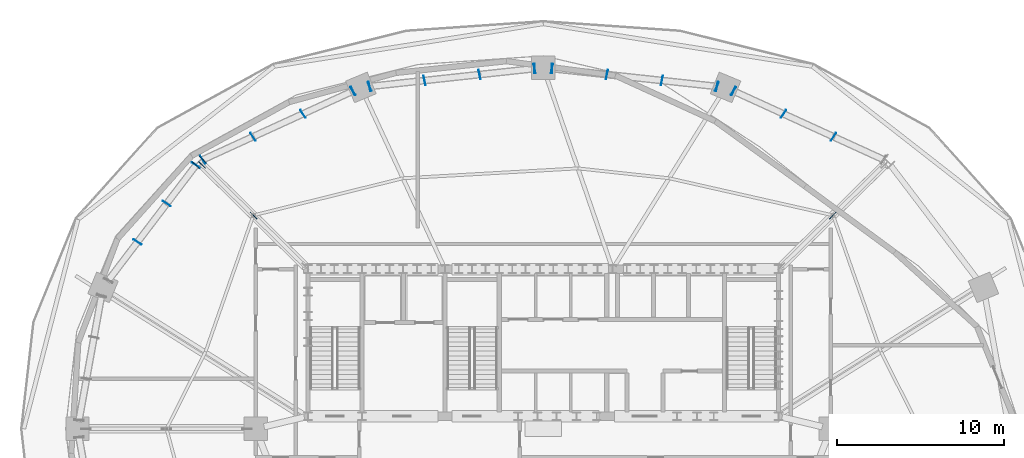
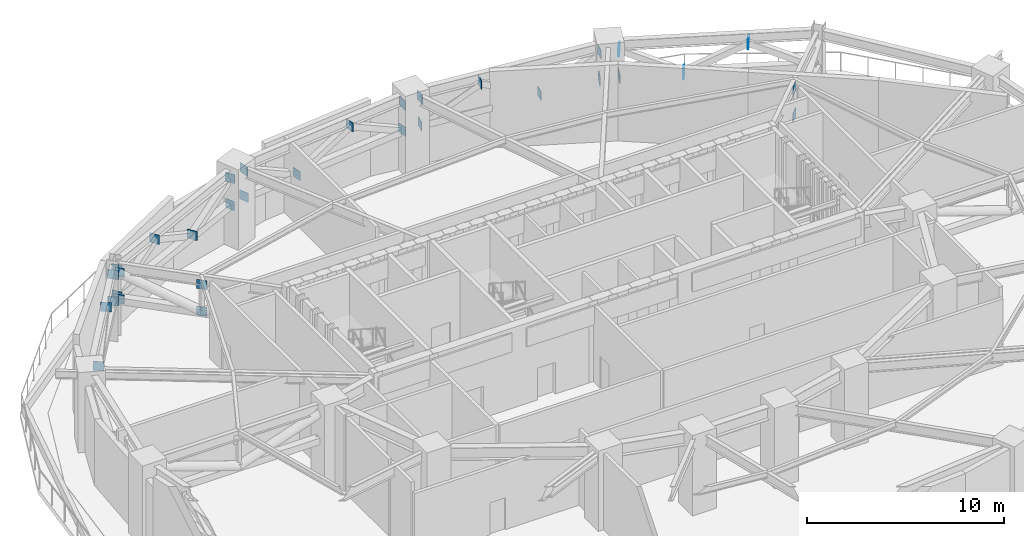
# One storey, part 12 of 18: 32 plates.
"""IFC4 building model written with IfcOpenShell, lengths in metres."""

from ifc_helpers import new_model, si_unit, direction, frame, origin, origin_2d, place, context, subcontext, project, spatial, rectangle, extrude, material, layer, layer_set, type_object, element, save


model = new_model("IFC4")

# Units and contexts
model_context = context("Model", 3, precision=1e-05, world=origin(), true_north=direction((0.0, 1.0)))
body_context = subcontext(model_context, "Body", "Model", "MODEL_VIEW")
ifc_project = project(units=[si_unit("LENGTHUNIT", "METRE"), si_unit("AREAUNIT", "SQUARE_METRE"), si_unit("VOLUMEUNIT", "CUBIC_METRE"), si_unit("PLANEANGLEUNIT", "RADIAN"), si_unit("MASSUNIT", "GRAM", prefix="KILO")], contexts=[model_context])

# Site, building, storey
site_placement = place(None, origin())
site = spatial("IfcSite", under=ifc_project, at=site_placement, CompositionType="ELEMENT")
building_placement = place(site_placement, origin())
building = spatial("IfcBuilding", under=site, at=building_placement, Name="Haldorwick Loom Tower", CompositionType="ELEMENT")
storey_placement = place(building_placement, frame((0.0, 0.0, 76.800048828125)))
storey = spatial("IfcBuildingStorey", under=building, at=storey_placement, Name="L20", CompositionType="ELEMENT", Elevation=76.800048828125)

# Plates
ifc_material = material(Name="Steel CSA G40.21 350W", Category="steel")
ifc_layer = layer(ifc_material, 0.028076171875, Name="Steel CSA G40.21 350W", Category="steel")
ifc_layer_set = layer_set([ifc_layer], Name="Steel CSA G40.21 350W")
plate_type = type_object("IfcPlateType", Name="STR-PLT-GUS28", PredefinedType="SHEET", material=ifc_layer_set)
for number, where, z_axis, x_axis, name in (
    (1, (53.3642578125, 43.464599609375, 3.864013671875), (0.0, 0.0, 1.0), (0.55557023302, 0.831469612303, 0.0), "L20 Truss Node Gusset Plate PLT-L20-BGUS-02-0B"),
    (2, (50.371826171875, 44.8330078125, 2.219970703125), (0.0, 0.0, 1.0), (0.55557023302, 0.831469612303, 0.0), "L20 Truss Node Gusset Plate PLT-L20-BGUS-02-1B"),
    (3, (47.37939453125, 46.201416015625, 3.864013671875), (0.0, 0.0, 1.0), (0.55557023302, 0.831469612303, 0.0), "L20 Truss Node Gusset Plate PLT-L20-BGUS-02-2B"),
    (4, (47.37939453125, 46.201416015625, 2.219970703125), (0.0, 0.0, 1.0), (0.382683432365, 0.923879532511, 0.0), "L20 Truss Node Gusset Plate PLT-L20-BGUS-02C"),
    (5, (46.389404296875, 46.4736328125, 3.864013671875), (0.0, 0.0, 1.0), (0.195090322016, 0.980785280403, 0.0), "L20 Truss Node Gusset Plate PLT-L20-BGUS-03-0A"),
    (6, (43.0986328125, 46.829833984375, 2.219970703125), (0.0, 0.0, 1.0), (0.195090322016, 0.980785280403, 0.0), "L20 Truss Node Gusset Plate PLT-L20-BGUS-03-0B"),
    (7, (39.807861328125, 47.186279296875, 3.864013671875), (0.0, 0.0, 1.0), (0.195090322016, 0.980785280403, 0.0), "L20 Truss Node Gusset Plate PLT-L20-BGUS-03-1B"),
    (8, (36.51708984375, 47.54248046875, 2.219970703125), (0.0, 0.0, 1.0), (0.195090322016, 0.980785280403, 0.0), "L20 Truss Node Gusset Plate PLT-L20-BGUS-03-2B"),
    (9, (46.389404296875, 46.4736328125, 2.219970703125), (0.0, 0.0, 1.0), (0.382683432365, 0.923879532511, 0.0), "L20 Truss Node Gusset Plate PLT-L20-BGUS-03A"),
    (10, (36.51708984375, 47.54248046875, 3.864013671875), (0.0, 0.0, 1.0), (0.0, 1.0, 0.0), "L20 Truss Node Gusset Plate PLT-L20-BGUS-03D"),
    (11, (35.48291015625, 47.54248046875, 2.219970703125), (0.0, 0.0, 1.0), (-0.195090322016, 0.980785280403, 0.0), "L20 Truss Node Gusset Plate PLT-L20-BGUS-04-0A"),
    (12, (32.192138671875, 47.186279296875, 3.864013671875), (0.0, 0.0, 1.0), (-0.195090322016, 0.980785280403, 0.0), "L20 Truss Node Gusset Plate PLT-L20-BGUS-04-0B"),
    (13, (28.9013671875, 46.829833984375, 2.219970703125), (0.0, 0.0, 1.0), (-0.195090322016, 0.980785280403, 0.0), "L20 Truss Node Gusset Plate PLT-L20-BGUS-04-1B"),
    (14, (25.610595703125, 46.4736328125, 3.864013671875), (0.0, 0.0, 1.0), (-0.195090322016, 0.980785280403, 0.0), "L20 Truss Node Gusset Plate PLT-L20-BGUS-04-2B"),
    (15, (35.48291015625, 47.54248046875, 3.864013671875), (0.0, 0.0, 1.0), (0.0, 1.0, 0.0), "L20 Truss Node Gusset Plate PLT-L20-BGUS-04B"),
    (16, (25.610595703125, 46.4736328125, 2.219970703125), (0.0, 0.0, 1.0), (-0.382683432365, 0.923879532511, 0.0), "L20 Truss Node Gusset Plate PLT-L20-BGUS-04C"),
    (17, (24.62060546875, 46.201416015625, 3.864013671875), (0.0, 0.0, 1.0), (-0.55557023302, 0.831469612303, 0.0), "L20 Truss Node Gusset Plate PLT-L20-BGUS-05-0A"),
    (18, (21.628173828125, 44.8330078125, 2.219970703125), (0.0, 0.0, 1.0), (-0.55557023302, 0.831469612303, 0.0), "L20 Truss Node Gusset Plate PLT-L20-BGUS-05-0B"),
    (19, (18.6357421875, 43.464599609375, 3.864013671875), (0.0, 0.0, 1.0), (-0.55557023302, 0.831469612303, 0.0), "L20 Truss Node Gusset Plate PLT-L20-BGUS-05-1B"),
    (20, (15.643310546875, 42.09619140625, 2.219970703125), (0.0, 0.0, 1.0), (-0.55557023302, 0.831469612303, 0.0), "L20 Truss Node Gusset Plate PLT-L20-BGUS-05-2B"),
    (21, (24.62060546875, 46.201416015625, 2.219970703125), (0.0, 0.0, 1.0), (-0.382683432365, 0.923879532511, 0.0), "L20 Truss Node Gusset Plate PLT-L20-BGUS-05A"),
    (22, (15.643310546875, 42.09619140625, 3.864013671875), (0.0, 0.0, 1.0), (-0.707106781187, 0.707106781187, 0.0), "L20 Truss Node Gusset Plate PLT-L20-BGUS-05D"),
    (23, (15.226806640625, 41.7626953125, 2.219970703125), (0.0, 0.0, 1.0), (-0.831469612303, 0.55557023302, 0.0), "L20 Truss Node Gusset Plate PLT-L20-BGUS-06-0A"),
    (24, (13.479248046875, 39.465576171875, 3.864013671875), (0.0, 0.0, 1.0), (-0.831469612303, 0.55557023302, 0.0), "L20 Truss Node Gusset Plate PLT-L20-BGUS-06-0B"),
    (25, (11.731689453125, 37.16845703125, 2.219970703125), (0.0, 0.0, 1.0), (-0.831469612303, 0.55557023302, 0.0), "L20 Truss Node Gusset Plate PLT-L20-BGUS-06-1B"),
    (26, (15.226806640625, 41.7626953125, 3.864013671875), (0.0, 0.0, 1.0), (-0.707106781187, 0.707106781187, 0.0), "L20 Truss Node Gusset Plate PLT-L20-BGUS-06B"),
    (27, (53.320556640625, 38.748291015625, 2.219970703125), (0.0, 0.0, 1.0), (0.707106781187, 0.707106781187, 0.0), "L20 Truss Node Gusset Plate PLT-L20-OT-NE-MB0"),
    (28, (53.320556640625, 38.748291015625, 3.863037109375), (0.0, 0.0, 1.0), (0.707106781187, 0.707106781187, 0.0), "L20 Truss Node Gusset Plate PLT-L20-OT-NE-MT0"),
    (29, (18.679443359375, 38.748291015625, 2.219970703125), (0.0, 0.0, 1.0), (-0.707106781187, 0.707106781187, 0.0), "L20 Truss Node Gusset Plate PLT-L20-OT-NW-MB0"),
    (30, (18.679443359375, 38.748291015625, 3.863037109375), (0.0, 0.0, 1.0), (-0.707106781187, 0.707106781187, 0.0), "L20 Truss Node Gusset Plate PLT-L20-OT-NW-MT0"),
    (31, (15.589111328125, 41.788818359375, 2.219970703125), (0.0, 0.0, 1.0), (-0.707106781187, 0.707106781187, 0.0), "L20 Truss Node Gusset Plate PLT-L20-OT-NW-PB0"),
    (32, (15.589111328125, 41.788818359375, 3.863037109375), (0.0, 0.0, 1.0), (-0.707106781187, 0.707106781187, 0.0), "L20 Truss Node Gusset Plate PLT-L20-OT-NW-PT0"),
):
    element("IfcPlate", number, at=place(storey_placement, frame(where, z_axis=z_axis, x_axis=x_axis)), inside=storey, type_object=plate_type, Name=name, PredefinedType="SHEET", context=body_context, shape_type="SweptSolid", body=[
        extrude(rectangle(XDim=0.56005859375, YDim=0.028076171875, at=origin_2d()), origin(), (0.0, 0.0, 1.0), 0.56005859375),
    ])

save(model, "model.ifc")
